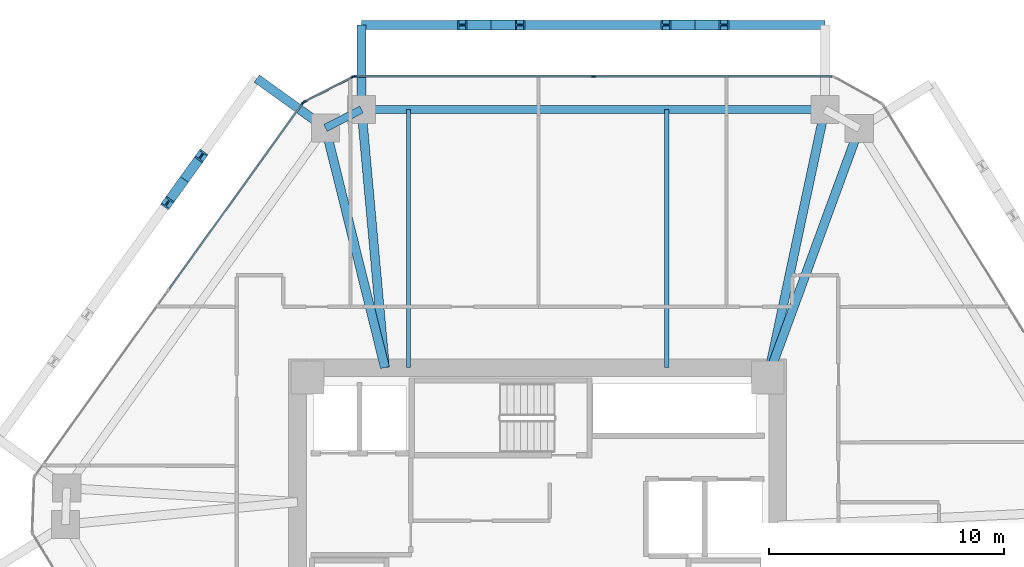
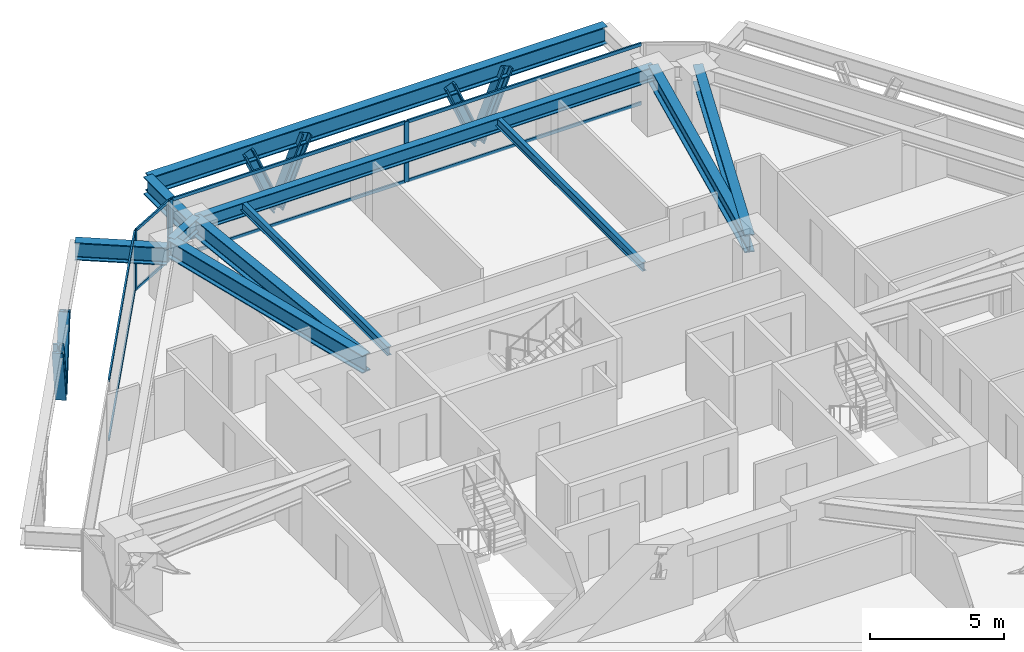
# One storey, part 7 of 14: 19 members, 11 beams, 3 elements without a shape of their own.
"""IFC4 building model written with IfcOpenShell, lengths in metres."""

from ifc_helpers import new_model, si_unit, direction, frame, origin, origin_2d, place, context, subcontext, project, spatial, rectangle, i_section, extrude, source, transform, mapped, material, layer, layer_set, material_profile, profile_set, type_object, type_shapes, element, aggregate, save


model = new_model("IFC4")

# Units and contexts
model_context = context("Model", 3, precision=1e-05, world=origin(), true_north=direction((0.0, 1.0)))
body_context = subcontext(model_context, "Body", "Model", "MODEL_VIEW")
ifc_project = project(units=[si_unit("LENGTHUNIT", "METRE"), si_unit("AREAUNIT", "SQUARE_METRE"), si_unit("VOLUMEUNIT", "CUBIC_METRE"), si_unit("PLANEANGLEUNIT", "RADIAN"), si_unit("MASSUNIT", "GRAM", prefix="KILO")], contexts=[model_context])

# Site, building, storey
site_placement = place(None, origin())
site = spatial("IfcSite", under=ifc_project, at=site_placement, CompositionType="ELEMENT")
building_placement = place(site_placement, origin())
building = spatial("IfcBuilding", under=site, at=building_placement, Name="Durnholm Broadcast Tower", CompositionType="ELEMENT")
storey_placement = place(building_placement, frame((0.0, 0.0, 140.10009765625)))
storey = spatial("IfcBuildingStorey", under=building, at=storey_placement, Name="L38", CompositionType="ELEMENT", Elevation=140.10009765625)

# Beams
ifc_material_1 = material(Name="Steel ASTM A992 Grade 50", Category="steel")
ifc_material_profile_1 = material_profile(ifc_material_1, i_section(OverallWidth=0.385009765625, OverallDepth=0.802978515625, WebThickness=0.023681640625, FlangeThickness=0.0419921875, FilletRadius=0.032958984375, at=origin_2d()), Name="W30X261")
ifc_profile_set_1 = profile_set([ifc_material_profile_1], Name="Steel ASTM A992 Grade 50")
beam_type_1 = type_object("IfcBeamType", Name="BM-EXO-TIE", PredefinedType="USERDEFINED", material=ifc_profile_set_1)
shared_shape_1 = source(origin(), body_context, "Body", "SweptSolid", [
    extrude(i_section(OverallWidth=0.385009765625, OverallDepth=0.802978515625, WebThickness=0.023681640625, FlangeThickness=0.0419921875, FilletRadius=0.032958984375, at=origin_2d()), origin(), (0.0, 0.0, 1.0), 3.4560546875),
])
beam_1_placement = place(storey_placement, frame((-7.498046875, 19.35888671875, 2.008544921875), z_axis=(0.0, 1.0, 0.0), x_axis=(-1.0, 0.0, 0.0)))
element("IfcBeam", 1, at=beam_1_placement, inside=storey, type_object=beam_type_1, Name="L38 exoskeleton stand-off tie bracket F4.2", ObjectType="GIRDER", PredefinedType="USERDEFINED", context=body_context, shape_type="MappedRepresentation", body=[
    mapped(shared_shape_1, transform((0.0, 0.0, 0.0), x_axis=(1.0, 0.0, 0.0), y_axis=(0.0, 1.0, 0.0), z_axis=(0.0, 0.0, 1.0), scale=1.0)),
])
ifc_material_profile_2 = material_profile(ifc_material_1, i_section(OverallWidth=0.3291015625, OverallDepth=0.635009765625, WebThickness=0.017822265625, FlangeThickness=0.031005859375, FilletRadius=0.02783203125, at=origin_2d()), Name="W24X162")
ifc_profile_set_2 = profile_set([ifc_material_profile_2], Name="Steel ASTM A992 Grade 50")
beam_type_2 = type_object("IfcBeamType", Name="STL-SP-W24X162", PredefinedType="SPANDREL", material=ifc_profile_set_2)
shared_shape_2 = source(origin(), body_context, "Body", "SweptSolid", [
    extrude(i_section(OverallWidth=0.3291015625, OverallDepth=0.635009765625, WebThickness=0.017822265625, FlangeThickness=0.031005859375, FilletRadius=0.02783203125, at=origin_2d()), origin(), (0.0, 0.0, 1.0), 1.723876953125),
])
beam_2_placement = place(storey_placement, frame((-9.031982421875, 18.42822265625, 2.427490234375), z_axis=(0.889762904339, 0.456423020959, 0.0), x_axis=(-0.456423020959, 0.889762904339, 0.0)))
element("IfcBeam", 2, at=beam_2_placement, inside=storey, type_object=beam_type_2, Name="L38 perimeter spandrel girder 04", PredefinedType="SPANDREL", context=body_context, shape_type="MappedRepresentation", body=[
    mapped(shared_shape_2, transform((0.0, 0.0, 0.0), x_axis=(1.0, 0.0, 0.0), y_axis=(0.0, 1.0, 0.0), z_axis=(0.0, 0.0, 1.0), scale=1.0)),
])
shared_shape_3 = source(origin(), body_context, "Body", "SweptSolid", [
    extrude(i_section(OverallWidth=0.3291015625, OverallDepth=0.635009765625, WebThickness=0.017822265625, FlangeThickness=0.031005859375, FilletRadius=0.02783203125, at=origin_2d()), origin(), (0.0, 0.0, 1.0), 19.72802734375),
])
type_shapes(beam_type_2, [shared_shape_2, shared_shape_3])
beam_3_placement = place(storey_placement, frame((-7.498046875, 19.215087890625, 2.427490234375), z_axis=(1.0, 0.0, 0.0), x_axis=(0.0, 1.0, 0.0)))
element("IfcBeam", 3, at=beam_3_placement, inside=storey, type_object=beam_type_2, Name="L38 perimeter spandrel girder 05", PredefinedType="SPANDREL", context=body_context, shape_type="MappedRepresentation", body=[
    mapped(shared_shape_3, transform((0.0, 0.0, 0.0), x_axis=(1.0, 0.0, 0.0), y_axis=(0.0, 1.0, 0.0), z_axis=(0.0, 0.0, 1.0), scale=1.0)),
])
ifc_material_profile_3 = material_profile(ifc_material_1, i_section(OverallWidth=0.385009765625, OverallDepth=0.802978515625, WebThickness=0.023681640625, FlangeThickness=0.0419921875, FilletRadius=0.032958984375, at=origin_2d()), Name="W30X261")
ifc_profile_set_3 = profile_set([ifc_material_profile_3], Name="Steel ASTM A992 Grade 50")
beam_type_3 = type_object("IfcBeamType", Name="STL-GR-W30X261", PredefinedType="USERDEFINED", material=ifc_profile_set_3)
shared_shape_4 = source(origin(), body_context, "Body", "SweptSolid", [
    extrude(i_section(OverallWidth=0.385009765625, OverallDepth=0.802978515625, WebThickness=0.023681640625, FlangeThickness=0.0419921875, FilletRadius=0.032958984375, at=origin_2d()), origin(), (0.0, 0.0, 1.0), 10.5126953125),
])
beam_4_placement = place(storey_placement, frame((-6.5, 8.22509765625, 2.343505859375), z_axis=(-0.240852230194, 0.970561797729, 0.0), x_axis=(-0.970561797729, -0.240852230194, 0.0)))
element("IfcBeam", 4, at=beam_4_placement, inside=storey, type_object=beam_type_3, Name="L38 radial primary floor girder 04", ObjectType="GIRDER", PredefinedType="USERDEFINED", context=body_context, shape_type="MappedRepresentation", body=[
    mapped(shared_shape_4, transform((0.0, 0.0, 0.0), x_axis=(1.0, 0.0, 0.0), y_axis=(0.0, 1.0, 0.0), z_axis=(0.0, 0.0, 1.0), scale=1.0)),
])
shared_shape_5 = source(origin(), body_context, "Body", "SweptSolid", [
    extrude(i_section(OverallWidth=0.385009765625, OverallDepth=0.802978515625, WebThickness=0.023681640625, FlangeThickness=0.0419921875, FilletRadius=0.032958984375, at=origin_2d()), origin(), (0.0, 0.0, 1.0), 11.03515625),
])
beam_5_placement = place(storey_placement, frame((-6.5, 8.22509765625, 2.343505859375), z_axis=(-0.090441991612, 0.995901725148, 0.0), x_axis=(-0.995901725148, -0.090441991612, 0.0)))
element("IfcBeam", 5, at=beam_5_placement, inside=storey, type_object=beam_type_3, Name="L38 radial primary floor girder 05", ObjectType="GIRDER", PredefinedType="USERDEFINED", context=body_context, shape_type="MappedRepresentation", body=[
    mapped(shared_shape_5, transform((0.0, 0.0, 0.0), x_axis=(1.0, 0.0, 0.0), y_axis=(0.0, 1.0, 0.0), z_axis=(0.0, 0.0, 1.0), scale=1.0)),
])
shared_shape_6 = source(origin(), body_context, "Body", "SweptSolid", [
    extrude(i_section(OverallWidth=0.385009765625, OverallDepth=0.802978515625, WebThickness=0.023681640625, FlangeThickness=0.0419921875, FilletRadius=0.032958984375, at=origin_2d()), origin(), (0.0, 0.0, 1.0), 11.6708984375),
])
beam_6_placement = place(storey_placement, frame((9.800048828125, 7.800048828125, 2.343505859375), z_axis=(0.208206004915, 0.97808499606, 0.0), x_axis=(-0.97808499606, 0.208206004915, 0.0)))
element("IfcBeam", 6, at=beam_6_placement, inside=storey, type_object=beam_type_3, Name="L38 radial primary floor girder 06", ObjectType="GIRDER", PredefinedType="USERDEFINED", context=body_context, shape_type="MappedRepresentation", body=[
    mapped(shared_shape_6, transform((0.0, 0.0, 0.0), x_axis=(1.0, 0.0, 0.0), y_axis=(0.0, 1.0, 0.0), z_axis=(0.0, 0.0, 1.0), scale=1.0)),
])
shared_shape_7 = source(origin(), body_context, "Body", "SweptSolid", [
    extrude(i_section(OverallWidth=0.385009765625, OverallDepth=0.802978515625, WebThickness=0.023681640625, FlangeThickness=0.0419921875, FilletRadius=0.032958984375, at=origin_2d()), origin(), (0.0, 0.0, 1.0), 11.293212890625),
])
type_shapes(beam_type_3, [shared_shape_4, shared_shape_5, shared_shape_6, shared_shape_7])
beam_7_placement = place(storey_placement, frame((9.800048828125, 7.800048828125, 2.343505859375), z_axis=(0.344640193759, 0.938734859716, 0.0), x_axis=(-0.938734859716, 0.344640193759, 0.0)))
element("IfcBeam", 7, at=beam_7_placement, inside=storey, type_object=beam_type_3, Name="L38 radial primary floor girder 07", ObjectType="GIRDER", PredefinedType="USERDEFINED", context=body_context, shape_type="MappedRepresentation", body=[
    mapped(shared_shape_7, transform((0.0, 0.0, 0.0), x_axis=(1.0, 0.0, 0.0), y_axis=(0.0, 1.0, 0.0), z_axis=(0.0, 0.0, 1.0), scale=1.0)),
])
ifc_material_profile_4 = material_profile(ifc_material_1, i_section(OverallWidth=0.177734375, OverallDepth=0.40673828125, WebThickness=0.0078125, FlangeThickness=0.0126953125, FilletRadius=0.01904296875, at=origin_2d()), Name="W16X40")
ifc_profile_set_4 = profile_set([ifc_material_profile_4], Name="Steel ASTM A992 Grade 50")
beam_type_4 = type_object("IfcBeamType", Name="STL-BJ-W16X40", PredefinedType="JOIST", material=ifc_profile_set_4)
shared_shape_8 = source(origin(), body_context, "Body", "SweptSolid", [
    extrude(i_section(OverallWidth=0.177734375, OverallDepth=0.40673828125, WebThickness=0.0078125, FlangeThickness=0.0126953125, FilletRadius=0.01904296875, at=origin_2d()), origin(), (0.0, 0.0, 1.0), 10.989990234375),
])
type_shapes(beam_type_4, [shared_shape_8])
for number, where, z_axis, x_axis, name in (
    (8, (-5.5, 8.22509765625, 2.54150390625), (0.0, 1.0, 0.0), (-1.0, 0.0, 0.0), "L38 secondary floor joist 3.2"),
    (9, (5.5, 8.22509765625, 2.54150390625), (0.0, 1.0, 0.0), (-1.0, 0.0, 0.0), "L38 secondary floor joist 4.2"),
):
    element("IfcBeam", number, at=place(storey_placement, frame(where, z_axis=z_axis, x_axis=x_axis)), inside=storey, type_object=beam_type_4, Name=name, PredefinedType="JOIST", context=body_context, shape_type="MappedRepresentation", body=[
        mapped(shared_shape_8, transform((0.0, 0.0, 0.0), x_axis=(1.0, 0.0, 0.0), y_axis=(0.0, 1.0, 0.0), z_axis=(0.0, 0.0, 1.0), scale=1.0)),
    ])
shared_shape_9 = source(origin(), body_context, "Body", "SweptSolid", [
    extrude(i_section(OverallWidth=0.385009765625, OverallDepth=0.802978515625, WebThickness=0.023681640625, FlangeThickness=0.0419921875, FilletRadius=0.032958984375, at=origin_2d()), origin(), (0.0, 0.0, 1.0), 19.72802734375),
])
beam_8_placement = place(storey_placement, frame((12.22998046875, 22.81494140625, 2.008544921875), z_axis=(-1.0, 0.0, 0.0), x_axis=(0.0, -1.0, 0.0)))
element("IfcBeam", 10, at=beam_8_placement, inside=storey, type_object=beam_type_1, Name="L38 exoskeleton collector spandrel F4", PredefinedType="SPANDREL", context=body_context, shape_type="MappedRepresentation", body=[
    mapped(shared_shape_9, transform((0.0, 0.0, 0.0), x_axis=(1.0, 0.0, 0.0), y_axis=(0.0, 1.0, 0.0), z_axis=(0.0, 0.0, 1.0), scale=1.0)),
])
shared_shape_10 = source(origin(), body_context, "Body", "SweptSolid", [
    extrude(i_section(OverallWidth=0.385009765625, OverallDepth=0.802978515625, WebThickness=0.023681640625, FlangeThickness=0.0419921875, FilletRadius=0.032958984375, at=origin_2d()), origin(), (0.0, 0.0, 1.0), 3.456298828125),
])
type_shapes(beam_type_1, [shared_shape_1, shared_shape_9, shared_shape_10])
beam_9_placement = place(storey_placement, frame((-9.14892578125, 18.51220703125, 2.008544921875), z_axis=(-0.812131479052, 0.583474473077, 0.0), x_axis=(-0.583474473077, -0.812131479052, 0.0)))
element("IfcBeam", 11, at=beam_9_placement, inside=storey, type_object=beam_type_1, Name="L38 exoskeleton stand-off tie bracket F5.1", ObjectType="GIRDER", PredefinedType="USERDEFINED", context=body_context, shape_type="MappedRepresentation", body=[
    mapped(shared_shape_10, transform((0.0, 0.0, 0.0), x_axis=(1.0, 0.0, 0.0), y_axis=(0.0, 1.0, 0.0), z_axis=(0.0, 0.0, 1.0), scale=1.0)),
])

# Members
ifc_material_2 = material(Name="Steel ASTM A913 Grade 65", Category="steel")
ifc_material_profile_5 = material_profile(ifc_material_2, i_section(OverallWidth=0.41845703125, OverallDepth=0.455078125, WebThickness=0.0419921875, FlangeThickness=0.067626953125, FilletRadius=0.030517578125, at=origin_2d()), Name="W14X370")
ifc_profile_set_5 = profile_set([ifc_material_profile_5], Name="Steel ASTM A913 Grade 65")
member_type_1 = type_object("IfcMemberType", Name="STL-DG-W14X370", PredefinedType="BRACE", material=ifc_profile_set_5)
shared_shape_11 = source(origin(), body_context, "Body", "SweptSolid", [
    extrude(i_section(OverallWidth=0.41845703125, OverallDepth=0.455078125, WebThickness=0.0419921875, FlangeThickness=0.067626953125, FilletRadius=0.030517578125, at=origin_2d()), origin(), (0.0, 0.0, 1.0), 3.243896484375),
])
for number, where, z_axis, x_axis, name in (
    (12, (6.7060546875, 22.81494140625, -0.991455078125), (0.380378804119, 0.0, 0.924830776616), (0.0, 1.0, 0.0), "L38 stand-off diagrid brace F4.D1.1"),
    (13, (-1.974365234375, 22.81494140625, -0.991455078125), (0.380378804119, 0.0, 0.924830776616), (0.0, 1.0, 0.0), "L38 stand-off diagrid brace F4.D2.1"),
    (14, (-15.040771484375, 16.234375, -0.991455078125), (-0.22195255441, -0.308882089963, 0.924839941877), (0.812085698931, -0.583538188632, 0.0), "L38 stand-off diagrid brace F5.D1.2"),
):
    element("IfcMember", number, at=place(storey_placement, frame(where, z_axis=z_axis, x_axis=x_axis)), inside=storey, type_object=member_type_1, Name=name, PredefinedType="BRACE", context=body_context, shape_type="MappedRepresentation", body=[
        mapped(shared_shape_11, transform((0.0, 0.0, 0.0), x_axis=(1.0, 0.0, 0.0), y_axis=(0.0, 1.0, 0.0), z_axis=(0.0, 0.0, 1.0), scale=1.0)),
    ])
shared_shape_12 = source(origin(), body_context, "Body", "SweptSolid", [
    extrude(i_section(OverallWidth=0.41845703125, OverallDepth=0.455078125, WebThickness=0.0419921875, FlangeThickness=0.067626953125, FilletRadius=0.030517578125, at=origin_2d()), origin(), (0.0, 0.0, 1.0), 3.24365234375),
])
type_shapes(member_type_1, [shared_shape_11, shared_shape_12])
for number, where, z_axis, x_axis, name in (
    (15, (6.7060546875, 22.81494140625, -0.991455078125), (-0.380314428078, 0.0, 0.924857251578), (0.0, -1.0, 0.0), "L38 stand-off diagrid brace F4.D1.2"),
    (16, (-1.974365234375, 22.81494140625, -0.991455078125), (-0.380314428078, 0.0, 0.924857251578), (0.0, -1.0, 0.0), "L38 stand-off diagrid brace F4.D2.2"),
    (17, (-15.040771484375, 16.234375, -0.991455078125), (0.22188099666, 0.308887249081, 0.924855389062), (-0.812179469647, 0.583407669717, 0.0), "L38 stand-off diagrid brace F5.D1.1"),
):
    element("IfcMember", number, at=place(storey_placement, frame(where, z_axis=z_axis, x_axis=x_axis)), inside=storey, type_object=member_type_1, Name=name, PredefinedType="BRACE", context=body_context, shape_type="MappedRepresentation", body=[
        mapped(shared_shape_12, transform((0.0, 0.0, 0.0), x_axis=(1.0, 0.0, 0.0), y_axis=(0.0, 1.0, 0.0), z_axis=(0.0, 0.0, 1.0), scale=1.0)),
    ])

# Curtain wall, members
ifc_material_3 = material(Name="Aluminium and Solar Control IGU", Category="aluminium")
ifc_layer_1 = layer(ifc_material_3, 0.1650390625)
ifc_layer_set_1 = layer_set([ifc_layer_1], Name="Aluminium and Solar Control IGU")
curtain_wall_type_1 = type_object("IfcCurtainWallType", Name="CW-SYS-5", PredefinedType="NOTDEFINED", material=ifc_layer_set_1)
curtain_wall_1_placement = place(storey_placement, origin())
curtain_wall_1 = element("IfcCurtainWall", 18, at=curtain_wall_1_placement, inside=storey, type_object=curtain_wall_type_1, Name="L38 curtain wall CW-CORNER CW-L38-CRN-03", PredefinedType="NOTDEFINED")
ifc_material_4 = material(Name="Aluminium 6063-T6", Category="aluminium")
ifc_material_profile_6 = material_profile(ifc_material_4, rectangle(XDim=0.06494140625, YDim=0.1650390625, at=origin_2d()), Name="CWM65X165")
ifc_profile_set_6 = profile_set([ifc_material_profile_6], Name="Aluminium 6063-T6")
member_type_2 = type_object("IfcMemberType", Name="CW-SYS-5-MUL", PredefinedType="MULLION", material=ifc_profile_set_6)
shared_shape_13 = source(origin(), body_context, "Body", "SweptSolid", [
    extrude(rectangle(XDim=0.06494140625, YDim=0.1650390625, at=origin_2d()), origin(), (0.0, 0.0, 1.0), 2.760009765625),
])
type_shapes(member_type_2, [shared_shape_13])
member_1_placement = place(storey_placement, frame((-9.94287109375, 19.534423828125, 0.0), z_axis=(0.0, 0.0, 1.0), x_axis=(-0.45637332267, 0.889788396392, 0.0)))
member_1 = element("IfcMember", 19, at=member_1_placement, type_object=member_type_2, Name="CW-CORNER mullion 1", PredefinedType="MULLION", context=body_context, shape_type="MappedRepresentation", body=[
    mapped(shared_shape_13, transform((0.0, 0.0, 0.0), x_axis=(1.0, 0.0, 0.0), y_axis=(0.0, 1.0, 0.0), z_axis=(0.0, 0.0, 1.0), scale=1.0)),
])
member_2_placement = place(storey_placement, frame((-7.865234375, 20.60009765625, 0.0), z_axis=(0.0, 0.0, 1.0), x_axis=(-0.45637332267, 0.889788396392, 0.0)))
member_2 = element("IfcMember", 20, at=member_2_placement, type_object=member_type_2, Name="CW-CORNER mullion 2", PredefinedType="MULLION", context=body_context, shape_type="MappedRepresentation", body=[
    mapped(shared_shape_13, transform((0.0, 0.0, 0.0), x_axis=(1.0, 0.0, 0.0), y_axis=(0.0, 1.0, 0.0), z_axis=(0.0, 0.0, 1.0), scale=1.0)),
])

# Curtain wall, member
ifc_layer_2 = layer(ifc_material_3, 0.18994140625)
ifc_layer_set_2 = layer_set([ifc_layer_2], Name="Aluminium and Solar Control IGU")
curtain_wall_type_2 = type_object("IfcCurtainWallType", Name="CW-SYS-3", PredefinedType="NOTDEFINED", material=ifc_layer_set_2)
curtain_wall_2_placement = place(storey_placement, origin())
curtain_wall_2 = element("IfcCurtainWall", 21, at=curtain_wall_2_placement, inside=storey, type_object=curtain_wall_type_2, Name="L38 curtain wall CW-Z12-VIS CW-L38-F02", PredefinedType="NOTDEFINED")
ifc_material_profile_7 = material_profile(ifc_material_4, rectangle(XDim=0.070068359375, YDim=0.18994140625, at=origin_2d()), Name="CWM70X190")
ifc_profile_set_7 = profile_set([ifc_material_profile_7], Name="Aluminium 6063-T6")
member_type_3 = type_object("IfcMemberType", Name="CW-SYS-3-MUL", PredefinedType="MULLION", material=ifc_profile_set_7)
shared_shape_14 = source(origin(), body_context, "Body", "SweptSolid", [
    extrude(rectangle(XDim=0.070068359375, YDim=0.18994140625, at=origin_2d()), origin(), (0.0, 0.0, 1.0), 2.760009765625),
])
type_shapes(member_type_3, [shared_shape_14])
member_3_placement = place(storey_placement, frame((-9.9921875, 19.4912109375, 0.0), z_axis=(0.0, 0.0, 1.0), x_axis=(-0.812152312759, 0.583445473786, 0.0)))
member_3 = element("IfcMember", 22, at=member_3_placement, type_object=member_type_3, Name="CW-Z12-VIS mullion 3", PredefinedType="MULLION", context=body_context, shape_type="MappedRepresentation", body=[
    mapped(shared_shape_14, transform((0.0, 0.0, 0.0), x_axis=(1.0, 0.0, 0.0), y_axis=(0.0, 1.0, 0.0), z_axis=(0.0, 0.0, 1.0), scale=1.0)),
])

# Curtain wall, members
curtain_wall_3_placement = place(storey_placement, origin())
curtain_wall_3 = element("IfcCurtainWall", 23, at=curtain_wall_3_placement, inside=storey, type_object=curtain_wall_type_2, Name="L38 curtain wall CW-Z12-VIS CW-L38-F04", PredefinedType="NOTDEFINED")
member_4_placement = place(storey_placement, frame((-7.80126953125, 20.614990234375, 0.0), z_axis=(0.0, 0.0, 1.0), x_axis=(0.0, 1.0, 0.0)))
member_4 = element("IfcMember", 24, at=member_4_placement, type_object=member_type_3, Name="CW-Z12-VIS mullion 1", PredefinedType="MULLION", context=body_context, shape_type="MappedRepresentation", body=[
    mapped(shared_shape_14, transform((0.0, 0.0, 0.0), x_axis=(1.0, 0.0, 0.0), y_axis=(0.0, 1.0, 0.0), z_axis=(0.0, 0.0, 1.0), scale=1.0)),
])
member_5_placement = place(storey_placement, frame((2.37841796875, 20.614990234375, 0.0), z_axis=(0.0, 0.0, 1.0), x_axis=(0.0, 1.0, 0.0)))
member_5 = element("IfcMember", 25, at=member_5_placement, type_object=member_type_3, Name="CW-Z12-VIS mullion 2", PredefinedType="MULLION", context=body_context, shape_type="MappedRepresentation", body=[
    mapped(shared_shape_14, transform((0.0, 0.0, 0.0), x_axis=(1.0, 0.0, 0.0), y_axis=(0.0, 1.0, 0.0), z_axis=(0.0, 0.0, 1.0), scale=1.0)),
])

# Member
ifc_material_profile_8 = material_profile(ifc_material_4, rectangle(XDim=0.06494140625, YDim=0.1298828125, at=origin_2d()), Name="CWT65X130")
ifc_profile_set_8 = profile_set([ifc_material_profile_8], Name="Aluminium 6063-T6")
member_type_4 = type_object("IfcMemberType", Name="CW-SYS-5-TRN", PredefinedType="USERDEFINED", material=ifc_profile_set_8)
shared_shape_15 = source(origin(), body_context, "Body", "SweptSolid", [
    extrude(rectangle(XDim=0.06494140625, YDim=0.1298828125, at=origin_2d()), origin(), (0.0, 0.0, 1.0), 2.27001953125),
])
type_shapes(member_type_4, [shared_shape_15])
member_6_placement = place(storey_placement, frame((-9.913818359375, 19.54931640625, 0.032470703125), z_axis=(0.889754750021, 0.456438916849, 0.0), x_axis=(-0.456438916849, 0.889754750021, 0.0)))
member_6 = element("IfcMember", 26, at=member_6_placement, type_object=member_type_4, Name="CW-CORNER transom 1.1", ObjectType="TRANSOM", PredefinedType="USERDEFINED", context=body_context, shape_type="MappedRepresentation", body=[
    mapped(shared_shape_15, transform((0.0, 0.0, 0.0), x_axis=(1.0, 0.0, 0.0), y_axis=(0.0, 1.0, 0.0), z_axis=(0.0, 0.0, 1.0), scale=1.0)),
])

member_7_placement = place(storey_placement, frame((-9.913818359375, 19.54931640625, 2.727294921875), z_axis=(0.889754750021, 0.456438916849, 0.0), x_axis=(-0.456438916849, 0.889754750021, 0.0)))
member_7 = element("IfcMember", 27, at=member_7_placement, type_object=member_type_4, Name="CW-CORNER transom 1.2", ObjectType="TRANSOM", PredefinedType="USERDEFINED", context=body_context, shape_type="MappedRepresentation", body=[
    mapped(shared_shape_15, transform((0.0, 0.0, 0.0), x_axis=(1.0, 0.0, 0.0), y_axis=(0.0, 1.0, 0.0), z_axis=(0.0, 0.0, 1.0), scale=1.0)),
])

aggregate(curtain_wall_1, [member_1, member_2, member_6, member_7])

ifc_material_profile_9 = material_profile(ifc_material_4, rectangle(XDim=0.070068359375, YDim=0.14990234375, at=origin_2d()), Name="CWT70X150")
ifc_profile_set_9 = profile_set([ifc_material_profile_9], Name="Aluminium 6063-T6")
member_type_5 = type_object("IfcMemberType", Name="CW-SYS-3-TRN", PredefinedType="USERDEFINED", material=ifc_profile_set_9)
shared_shape_16 = source(origin(), body_context, "Body", "SweptSolid", [
    extrude(rectangle(XDim=0.070068359375, YDim=0.14990234375, at=origin_2d()), origin(), (0.0, 0.0, 1.0), 9.71875),
])
member_8_placement = place(storey_placement, frame((-15.682861328125, 11.56982421875, 0.034912109375), z_axis=(0.583450726174, 0.812148539448, 0.0), x_axis=(-0.812148539448, 0.583450726174, 0.0)))
member_8 = element("IfcMember", 28, at=member_8_placement, type_object=member_type_5, Name="CW-Z12-VIS transom 2.1", ObjectType="TRANSOM", PredefinedType="USERDEFINED", context=body_context, shape_type="MappedRepresentation", body=[
    mapped(shared_shape_16, transform((0.0, 0.0, 0.0), x_axis=(1.0, 0.0, 0.0), y_axis=(0.0, 1.0, 0.0), z_axis=(0.0, 0.0, 1.0), scale=1.0)),
])

member_9_placement = place(storey_placement, frame((-15.682861328125, 11.56982421875, 2.724853515625), z_axis=(0.583450726174, 0.812148539448, 0.0), x_axis=(-0.812148539448, 0.583450726174, 0.0)))
member_9 = element("IfcMember", 29, at=member_9_placement, type_object=member_type_5, Name="CW-Z12-VIS transom 2.2", ObjectType="TRANSOM", PredefinedType="USERDEFINED", context=body_context, shape_type="MappedRepresentation", body=[
    mapped(shared_shape_16, transform((0.0, 0.0, 0.0), x_axis=(1.0, 0.0, 0.0), y_axis=(0.0, 1.0, 0.0), z_axis=(0.0, 0.0, 1.0), scale=1.0)),
])

aggregate(curtain_wall_2, [member_3, member_8, member_9])

shared_shape_17 = source(origin(), body_context, "Body", "SweptSolid", [
    extrude(rectangle(XDim=0.070068359375, YDim=0.14990234375, at=origin_2d()), origin(), (0.0, 0.0, 1.0), 10.109619140625),
])
type_shapes(member_type_5, [shared_shape_16, shared_shape_17])
member_10_placement = place(storey_placement, frame((-7.76611328125, 20.614990234375, 0.034912109375), z_axis=(1.0, 0.0, 0.0), x_axis=(0.0, 1.0, 0.0)))
member_10 = element("IfcMember", 30, at=member_10_placement, type_object=member_type_5, Name="CW-Z12-VIS transom 1.1", ObjectType="TRANSOM", PredefinedType="USERDEFINED", context=body_context, shape_type="MappedRepresentation", body=[
    mapped(shared_shape_17, transform((0.0, 0.0, 0.0), x_axis=(1.0, 0.0, 0.0), y_axis=(0.0, 1.0, 0.0), z_axis=(0.0, 0.0, 1.0), scale=1.0)),
])

member_11_placement = place(storey_placement, frame((-7.76611328125, 20.614990234375, 2.724853515625), z_axis=(1.0, 0.0, 0.0), x_axis=(0.0, 1.0, 0.0)))
member_11 = element("IfcMember", 31, at=member_11_placement, type_object=member_type_5, Name="CW-Z12-VIS transom 1.2", ObjectType="TRANSOM", PredefinedType="USERDEFINED", context=body_context, shape_type="MappedRepresentation", body=[
    mapped(shared_shape_17, transform((0.0, 0.0, 0.0), x_axis=(1.0, 0.0, 0.0), y_axis=(0.0, 1.0, 0.0), z_axis=(0.0, 0.0, 1.0), scale=1.0)),
])

member_12_placement = place(storey_placement, frame((2.41357421875, 20.614990234375, 0.034912109375), z_axis=(1.0, 0.0, 0.0), x_axis=(0.0, 1.0, 0.0)))
member_12 = element("IfcMember", 32, at=member_12_placement, type_object=member_type_5, Name="CW-Z12-VIS transom 2.1", ObjectType="TRANSOM", PredefinedType="USERDEFINED", context=body_context, shape_type="MappedRepresentation", body=[
    mapped(shared_shape_17, transform((0.0, 0.0, 0.0), x_axis=(1.0, 0.0, 0.0), y_axis=(0.0, 1.0, 0.0), z_axis=(0.0, 0.0, 1.0), scale=1.0)),
])

member_13_placement = place(storey_placement, frame((2.41357421875, 20.614990234375, 2.724853515625), z_axis=(1.0, 0.0, 0.0), x_axis=(0.0, 1.0, 0.0)))
member_13 = element("IfcMember", 33, at=member_13_placement, type_object=member_type_5, Name="CW-Z12-VIS transom 2.2", ObjectType="TRANSOM", PredefinedType="USERDEFINED", context=body_context, shape_type="MappedRepresentation", body=[
    mapped(shared_shape_17, transform((0.0, 0.0, 0.0), x_axis=(1.0, 0.0, 0.0), y_axis=(0.0, 1.0, 0.0), z_axis=(0.0, 0.0, 1.0), scale=1.0)),
])

aggregate(curtain_wall_3, [member_4, member_5, member_10, member_11, member_12, member_13])

save(model, "model.ifc")
